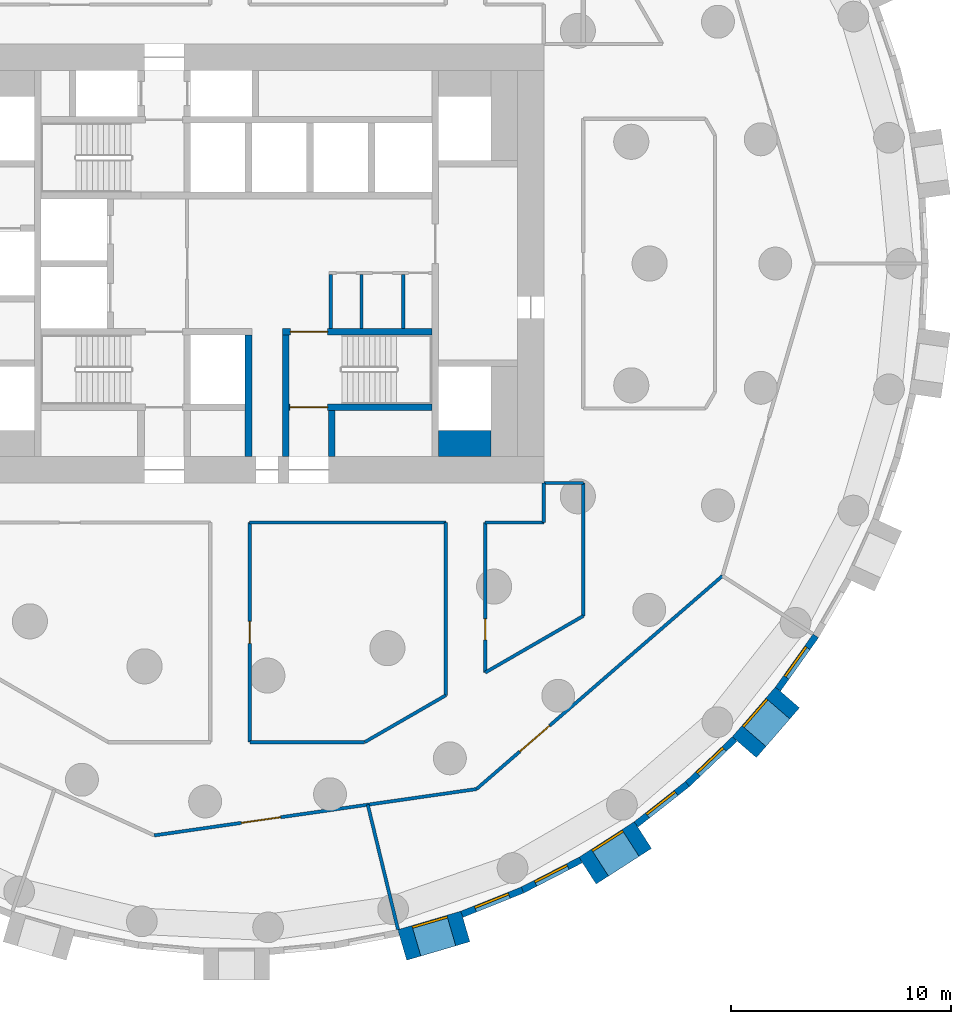
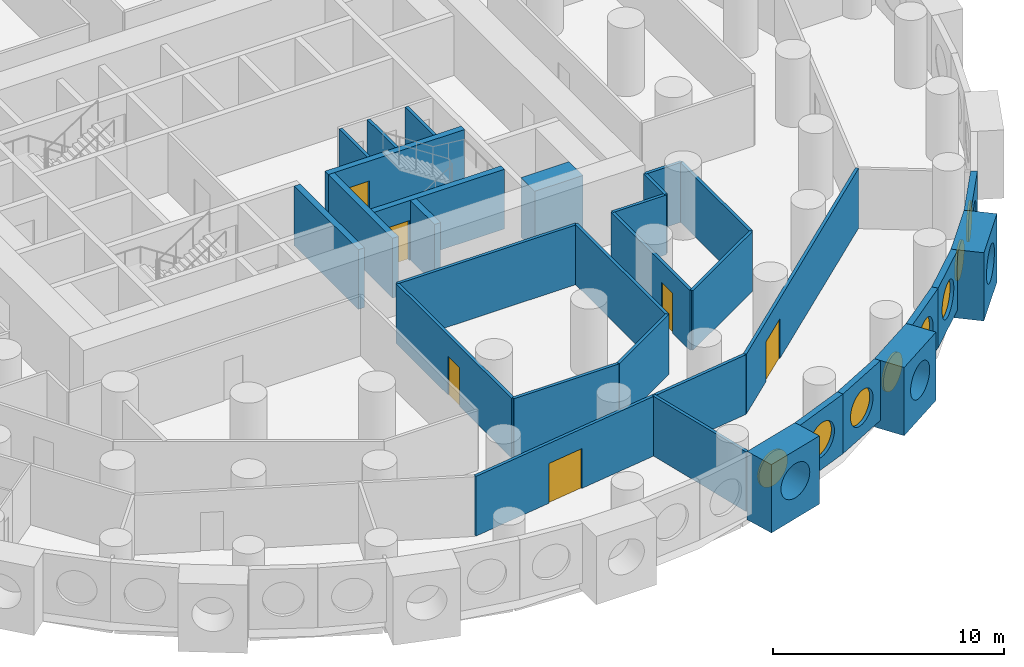
# One storey, part 5 of 12: 31 walls, 8 windows, 6 doors, 14 openings.
"""IFC4 building model written with IfcOpenShell, lengths in metres."""

from ifc_helpers import new_model, si_unit, direction, frame, frame_2d, origin, origin_2d, place, context, subcontext, project, spatial, rectangle, circle, extrude, material, layer, layer_set, type_object, element, fill, save


model = new_model("IFC4")

# Units and contexts
model_context = context("Model", 3, precision=1e-05, world=origin(), true_north=direction((0.0, 1.0)))
body_context = subcontext(model_context, "Body", "Model", "MODEL_VIEW")
ifc_project = project(units=[si_unit("LENGTHUNIT", "METRE"), si_unit("AREAUNIT", "SQUARE_METRE"), si_unit("VOLUMEUNIT", "CUBIC_METRE"), si_unit("PLANEANGLEUNIT", "RADIAN"), si_unit("MASSUNIT", "GRAM", prefix="KILO")], contexts=[model_context])

# Site, building, storey
site_placement = place(None, origin())
site = spatial("IfcSite", under=ifc_project, at=site_placement, CompositionType="ELEMENT")
building_placement = place(site_placement, origin())
building = spatial("IfcBuilding", under=site, at=building_placement, Name="Tracery Tower", CompositionType="ELEMENT")
storey_placement = place(building_placement, frame((0.0, 0.0, 49.800048828125)))
storey = spatial("IfcBuildingStorey", under=building, at=storey_placement, Name="L11", CompositionType="ELEMENT", Elevation=49.800048828125)

# Walls
ifc_material_1 = material(Name="Plasterboard on steel studs", Category="steel")
ifc_layer_1 = layer(ifc_material_1, 0.14990234375)
ifc_layer_set_1 = layer_set([ifc_layer_1], Name="Core room partition 150")
wall_type_1 = type_object("IfcWallType", Name="Core room partition 150", PredefinedType="SOLIDWALL", material=ifc_layer_set_1)
for number, where, z_axis, x_axis, name in (
    (1, (4.300048828125, -2.949951171875, 0.0), (0.0, 0.0, 1.0), (0.0, 1.0, 0.0), "L11 slot W"),
    (2, (5.699951171875, -2.949951171875, 0.0), (0.0, 0.0, 1.0), (0.0, 1.0, 0.0), "L11 slot sep 1"),
    (3, (7.60009765625, -2.949951171875, 0.0), (0.0, 0.0, 1.0), (0.0, 1.0, 0.0), "L11 slot sep 2"),
):
    element("IfcWall", number, at=place(storey_placement, frame(where, z_axis=z_axis, x_axis=x_axis)), inside=storey, type_object=wall_type_1, Name=name, PredefinedType="SOLIDWALL", context=body_context, shape_type="SweptSolid", body=[
        extrude(rectangle(XDim=2.449951171875, YDim=0.14990234375, at=frame_2d((1.22509765625, 0.0))), origin(), (0.0, 0.0, 1.0), 3.14990234375),
    ])
ifc_material_2 = material(Name="Concrete C60/75", Category="concrete")
ifc_layer_2 = layer(ifc_material_2, 1.199951171875)
ifc_layer_set_2 = layer_set([ifc_layer_2], Name="Core strip wall 1200 C60")
wall_type_2 = type_object("IfcWallType", Name="Core strip wall 1200 C60", PredefinedType="SOLIDWALL", material=ifc_layer_set_2)
wall_1_placement = place(storey_placement, frame((9.199951171875, -8.199951171875, 0.0), z_axis=(0.0, 0.0, 1.0), x_axis=(1.0, 0.0, 0.0)))
element("IfcWall", 4, at=wall_1_placement, inside=storey, type_object=wall_type_2, Name="L11 wing corner +1 -8.2", PredefinedType="SOLIDWALL", context=body_context, shape_type="SweptSolid", body=[
    extrude(rectangle(XDim=2.400146484375, YDim=1.199951171875, at=frame_2d((1.2001953125, 0.0))), origin(), (0.0, 0.0, 1.0), 3.14990234375),
])

# Wall, opening, window
ifc_material_3 = material(Name="Precast concrete C50/60", Category="concrete")
ifc_layer_3 = layer(ifc_material_3, 1.449951171875)
ifc_layer_set_3 = layer_set([ifc_layer_3], Name="Deep-set bay unit 3000 x 3600, slab edge 450")
wall_type_3 = type_object("IfcWallType", Name="Deep-set bay unit 3000 x 3600, slab edge 450", PredefinedType="ELEMENTEDWALL", material=ifc_layer_set_3)
wall_2_placement = place(storey_placement, frame((7.552001953125, -31.043701171875, -0.449951171875), z_axis=(0.0, 0.0, 1.0), x_axis=(0.959489813418, 0.281743319258, 0.0)))
wall_2 = element("IfcWall", 5, at=wall_2_placement, inside=storey, type_object=wall_type_3, Name="Deep-set bay unit 53 at L11", PredefinedType="ELEMENTEDWALL", context=body_context, shape_type="SweptSolid", body=[
    extrude(rectangle(XDim=3.0, YDim=1.449951171875, at=frame_2d((1.5, 0.0))), origin(), (0.0, 0.0, 1.0), 3.599853515625),
])
opening_1_placement = place(wall_2_placement, frame((1.5, 0.0, 2.0)))
opening_1 = element("IfcOpeningElement", 6, at=opening_1_placement, cuts=wall_2, Name="Opening WN1", PredefinedType="OPENING", context=body_context, shape_type="SweptSolid", body=[
    extrude(circle(Radius=0.9000244140625, at=origin_2d()), frame((0.0, 0.73486328125, 0.0), z_axis=(0.0, -1.0, 0.0), x_axis=(1.0, 0.0, 0.0)), (0.0, 0.0, 1.0), 1.469970703125),
])
ifc_material_4 = material(Name="Aluminium frame with tinted double glazing", Category="aluminium")
window_type = type_object("IfcWindowType", Name="Round window 1800", PartitioningType="SINGLE_PANEL", PredefinedType="WINDOW", material=ifc_material_4)
window_1_placement = place(opening_1_placement, origin())
window_1 = element("IfcWindow", 7, at=window_1_placement, inside=storey, type_object=window_type, Name="Round window 53 at L11", OverallHeight=1.800048828125, OverallWidth=1.800048828125, PartitioningType="SINGLE_PANEL", PredefinedType="WINDOW", context=body_context, shape_type="SweptSolid", body=[
    extrude(circle(Radius=0.9000244140625, at=origin_2d()), frame((0.0, 0.69482421875, 0.0), z_axis=(0.0, -1.0, 0.0), x_axis=(1.0, 0.0, 0.0)), (0.0, 0.0, 1.0), 0.10009765625),
])
fill(opening_1, window_1)

wall_3_placement = place(storey_placement, frame((15.9921875, -27.65869140625, -0.449951171875), z_axis=(0.0, 0.0, 1.0), x_axis=(0.841223422347, 0.540687667415, 0.0)))
wall_3 = element("IfcWall", 8, at=wall_3_placement, inside=storey, type_object=wall_type_3, Name="Deep-set bay unit 56 at L11", PredefinedType="ELEMENTEDWALL", context=body_context, shape_type="SweptSolid", body=[
    extrude(rectangle(XDim=3.0, YDim=1.449951171875, at=frame_2d((1.5, 0.0))), origin(), (0.0, 0.0, 1.0), 3.599853515625),
])
opening_2_placement = place(wall_3_placement, frame((1.5, 0.0, 2.0)))
opening_2 = element("IfcOpeningElement", 9, at=opening_2_placement, cuts=wall_3, Name="Opening WN1", PredefinedType="OPENING", context=body_context, shape_type="SweptSolid", body=[
    extrude(circle(Radius=0.9000244140625, at=origin_2d()), frame((0.0, 0.73486328125, 0.0), z_axis=(0.0, -1.0, 0.0), x_axis=(1.0, 0.0, 0.0)), (0.0, 0.0, 1.0), 1.469970703125),
])
window_2_placement = place(opening_2_placement, origin())
window_2 = element("IfcWindow", 10, at=window_2_placement, inside=storey, type_object=window_type, Name="Round window 56 at L11", OverallHeight=1.800048828125, OverallWidth=1.800048828125, PartitioningType="SINGLE_PANEL", PredefinedType="WINDOW", context=body_context, shape_type="SweptSolid", body=[
    extrude(circle(Radius=0.9000244140625, at=origin_2d()), frame((0.0, 0.69482421875, 0.0), z_axis=(0.0, -1.0, 0.0), x_axis=(1.0, 0.0, 0.0)), (0.0, 0.0, 1.0), 0.10009765625),
])
fill(opening_2, window_2)

wall_4_placement = place(storey_placement, frame((23.13671875, -22.03271484375, -0.449951171875), z_axis=(0.0, 0.0, 1.0), x_axis=(0.654890259022, 0.75572398972, 0.0)))
wall_4 = element("IfcWall", 11, at=wall_4_placement, inside=storey, type_object=wall_type_3, Name="Deep-set bay unit 59 at L11", PredefinedType="ELEMENTEDWALL", context=body_context, shape_type="SweptSolid", body=[
    extrude(rectangle(XDim=3.0, YDim=1.449951171875, at=frame_2d((1.5, 0.0))), origin(), (0.0, 0.0, 1.0), 3.599853515625),
])
opening_3_placement = place(wall_4_placement, frame((1.5, 0.0, 2.0)))
opening_3 = element("IfcOpeningElement", 12, at=opening_3_placement, cuts=wall_4, Name="Opening WN1", PredefinedType="OPENING", context=body_context, shape_type="SweptSolid", body=[
    extrude(circle(Radius=0.9000244140625, at=origin_2d()), frame((0.0, 0.73486328125, 0.0), z_axis=(0.0, -1.0, 0.0), x_axis=(1.0, 0.0, 0.0)), (0.0, 0.0, 1.0), 1.469970703125),
])
window_3_placement = place(opening_3_placement, origin())
window_3 = element("IfcWindow", 13, at=window_3_placement, inside=storey, type_object=window_type, Name="Round window 59 at L11", OverallHeight=1.800048828125, OverallWidth=1.800048828125, PartitioningType="SINGLE_PANEL", PredefinedType="WINDOW", context=body_context, shape_type="SweptSolid", body=[
    extrude(circle(Radius=0.9000244140625, at=origin_2d()), frame((0.0, 0.69482421875, 0.0), z_axis=(0.0, -1.0, 0.0), x_axis=(1.0, 0.0, 0.0)), (0.0, 0.0, 1.0), 0.10009765625),
])
fill(opening_3, window_3)

ifc_material_5 = material(Name="Precast concrete C50/60", Category="concrete")
ifc_layer_4 = layer(ifc_material_5, 0.300048828125)
ifc_layer_set_4 = layer_set([ifc_layer_4], Name="Facade panel 3000 x 3150")
wall_type_4 = type_object("IfcWallType", Name="Facade panel 3000 x 3150", PredefinedType="SOLIDWALL", material=ifc_layer_set_4)
wall_5_placement = place(storey_placement, frame((10.26708984375, -29.646484375, 0.0), z_axis=(0.0, 0.0, 1.0), x_axis=(0.928403213937, 0.371574316054, 0.0)))
wall_5 = element("IfcWall", 14, at=wall_5_placement, inside=storey, type_object=wall_type_4, Name="Facade panel 54 at L11", PredefinedType="SOLIDWALL", context=body_context, shape_type="SweptSolid", body=[
    extrude(rectangle(XDim=2.979736328125, YDim=0.300048828125, at=frame_2d((1.48974609375, 0.0))), origin(), (0.0, 0.0, 1.0), 3.14990234375),
])
opening_4_placement = place(wall_5_placement, frame((1.48974609375, 0.0, 1.5498046875)))
opening_4 = element("IfcOpeningElement", 15, at=opening_4_placement, cuts=wall_5, Name="Opening WN1", PredefinedType="OPENING", context=body_context, shape_type="SweptSolid", body=[
    extrude(circle(Radius=0.9000244140625, at=origin_2d()), frame((0.0, 0.159912109375, 0.0), z_axis=(0.0, -1.0, 0.0), x_axis=(1.0, 0.0, 0.0)), (0.0, 0.0, 1.0), 0.320068359375),
])
window_4_placement = place(opening_4_placement, origin())
window_4 = element("IfcWindow", 16, at=window_4_placement, inside=storey, type_object=window_type, Name="Round window 54 at L11", OverallHeight=1.800048828125, OverallWidth=1.800048828125, PartitioningType="SINGLE_PANEL", PredefinedType="WINDOW", context=body_context, shape_type="SweptSolid", body=[
    extrude(circle(Radius=0.9000244140625, at=origin_2d()), frame((0.0, 0.1201171875, 0.0), z_axis=(0.0, -1.0, 0.0), x_axis=(1.0, 0.0, 0.0)), (0.0, 0.0, 1.0), 0.10009765625),
])
fill(opening_4, window_4)

wall_6_placement = place(storey_placement, frame((13.033447265625, -28.539306640625, 0.0), z_axis=(0.0, 0.0, 1.0), x_axis=(0.888819853856, 0.458256770153, 0.0)))
wall_6 = element("IfcWall", 17, at=wall_6_placement, inside=storey, type_object=wall_type_4, Name="Facade panel 55 at L11", PredefinedType="SOLIDWALL", context=body_context, shape_type="SweptSolid", body=[
    extrude(rectangle(XDim=2.979736328125, YDim=0.300048828125, at=frame_2d((1.48974609375, 0.0))), origin(), (0.0, 0.0, 1.0), 3.14990234375),
])
opening_5_placement = place(wall_6_placement, frame((1.48974609375, 0.0, 1.5498046875)))
opening_5 = element("IfcOpeningElement", 18, at=opening_5_placement, cuts=wall_6, Name="Opening WN1", PredefinedType="OPENING", context=body_context, shape_type="SweptSolid", body=[
    extrude(circle(Radius=0.9000244140625, at=origin_2d()), frame((0.0, 0.159912109375, 0.0), z_axis=(0.0, -1.0, 0.0), x_axis=(1.0, 0.0, 0.0)), (0.0, 0.0, 1.0), 0.320068359375),
])
window_5_placement = place(opening_5_placement, origin())
window_5 = element("IfcWindow", 19, at=window_5_placement, inside=storey, type_object=window_type, Name="Round window 55 at L11", OverallHeight=1.800048828125, OverallWidth=1.800048828125, PartitioningType="SINGLE_PANEL", PredefinedType="WINDOW", context=body_context, shape_type="SweptSolid", body=[
    extrude(circle(Radius=0.9000244140625, at=origin_2d()), frame((0.0, 0.1201171875, 0.0), z_axis=(0.0, -1.0, 0.0), x_axis=(1.0, 0.0, 0.0)), (0.0, 0.0, 1.0), 0.10009765625),
])
fill(opening_5, window_5)

wall_7_placement = place(storey_placement, frame((18.20361328125, -25.55322265625, 0.0), z_axis=(0.0, 0.0, 1.0), x_axis=(0.786045331304, 0.618168858108, 0.0)))
wall_7 = element("IfcWall", 20, at=wall_7_placement, inside=storey, type_object=wall_type_4, Name="Facade panel 57 at L11", PredefinedType="SOLIDWALL", context=body_context, shape_type="SweptSolid", body=[
    extrude(rectangle(XDim=2.979736328125, YDim=0.300048828125, at=frame_2d((1.48974609375, 0.0))), origin(), (0.0, 0.0, 1.0), 3.14990234375),
])
opening_6_placement = place(wall_7_placement, frame((1.48974609375, 0.0, 1.5498046875)))
opening_6 = element("IfcOpeningElement", 21, at=opening_6_placement, cuts=wall_7, Name="Opening WN1", PredefinedType="OPENING", context=body_context, shape_type="SweptSolid", body=[
    extrude(circle(Radius=0.9000244140625, at=origin_2d()), frame((0.0, 0.159912109375, 0.0), z_axis=(0.0, -1.0, 0.0), x_axis=(1.0, 0.0, 0.0)), (0.0, 0.0, 1.0), 0.320068359375),
])
window_6_placement = place(opening_6_placement, origin())
window_6 = element("IfcWindow", 22, at=window_6_placement, inside=storey, type_object=window_type, Name="Round window 57 at L11", OverallHeight=1.800048828125, OverallWidth=1.800048828125, PartitioningType="SINGLE_PANEL", PredefinedType="WINDOW", context=body_context, shape_type="SweptSolid", body=[
    extrude(circle(Radius=0.9000244140625, at=origin_2d()), frame((0.0, 0.1201171875, 0.0), z_axis=(0.0, -1.0, 0.0), x_axis=(1.0, 0.0, 0.0)), (0.0, 0.0, 1.0), 0.10009765625),
])
fill(opening_6, window_6)

wall_8_placement = place(storey_placement, frame((20.5458984375, -23.711181640625, 0.0), z_axis=(0.0, 0.0, 1.0), x_axis=(0.723744206617, 0.690068346896, 0.0)))
wall_8 = element("IfcWall", 23, at=wall_8_placement, inside=storey, type_object=wall_type_4, Name="Facade panel 58 at L11", PredefinedType="SOLIDWALL", context=body_context, shape_type="SweptSolid", body=[
    extrude(rectangle(XDim=2.979736328125, YDim=0.300048828125, at=frame_2d((1.48974609375, 0.0))), origin(), (0.0, 0.0, 1.0), 3.14990234375),
])
opening_7_placement = place(wall_8_placement, frame((1.48974609375, 0.0, 1.5498046875)))
opening_7 = element("IfcOpeningElement", 24, at=opening_7_placement, cuts=wall_8, Name="Opening WN1", PredefinedType="OPENING", context=body_context, shape_type="SweptSolid", body=[
    extrude(circle(Radius=0.9000244140625, at=origin_2d()), frame((0.0, 0.159912109375, 0.0), z_axis=(0.0, -1.0, 0.0), x_axis=(1.0, 0.0, 0.0)), (0.0, 0.0, 1.0), 0.320068359375),
])
window_7_placement = place(opening_7_placement, origin())
window_7 = element("IfcWindow", 25, at=window_7_placement, inside=storey, type_object=window_type, Name="Round window 58 at L11", OverallHeight=1.800048828125, OverallWidth=1.800048828125, PartitioningType="SINGLE_PANEL", PredefinedType="WINDOW", context=body_context, shape_type="SweptSolid", body=[
    extrude(circle(Radius=0.9000244140625, at=origin_2d()), frame((0.0, 0.1201171875, 0.0), z_axis=(0.0, -1.0, 0.0), x_axis=(1.0, 0.0, 0.0)), (0.0, 0.0, 1.0), 0.10009765625),
])
fill(opening_7, window_7)

wall_9_placement = place(storey_placement, frame((24.66552734375, -19.389404296875, 0.0), z_axis=(0.0, 0.0, 1.0), x_axis=(0.580059407678, 0.81457417315, 0.0)))
wall_9 = element("IfcWall", 26, at=wall_9_placement, inside=storey, type_object=wall_type_4, Name="Facade panel 60 at L11", PredefinedType="SOLIDWALL", context=body_context, shape_type="SweptSolid", body=[
    extrude(rectangle(XDim=2.9794921875, YDim=0.300048828125, at=frame_2d((1.48974609375, 0.0))), origin(), (0.0, 0.0, 1.0), 3.14990234375),
])
opening_8_placement = place(wall_9_placement, frame((1.48974609375, 0.0, 1.5498046875)))
opening_8 = element("IfcOpeningElement", 27, at=opening_8_placement, cuts=wall_9, Name="Opening WN1", PredefinedType="OPENING", context=body_context, shape_type="SweptSolid", body=[
    extrude(circle(Radius=0.9000244140625, at=origin_2d()), frame((0.0, 0.159912109375, 0.0), z_axis=(0.0, -1.0, 0.0), x_axis=(1.0, 0.0, 0.0)), (0.0, 0.0, 1.0), 0.320068359375),
])
window_8_placement = place(opening_8_placement, origin())
window_8 = element("IfcWindow", 28, at=window_8_placement, inside=storey, type_object=window_type, Name="Round window 60 at L11", OverallHeight=1.800048828125, OverallWidth=1.800048828125, PartitioningType="SINGLE_PANEL", PredefinedType="WINDOW", context=body_context, shape_type="SweptSolid", body=[
    extrude(circle(Radius=0.9000244140625, at=origin_2d()), frame((0.0, 0.1201171875, 0.0), z_axis=(0.0, -1.0, 0.0), x_axis=(1.0, 0.0, 0.0)), (0.0, 0.0, 1.0), 0.10009765625),
])
fill(opening_8, window_8)

# Walls
ifc_material_6 = material(Name="Plasterboard on steel studs", Category="steel")
ifc_layer_5 = layer(ifc_material_6, 0.14990234375)
ifc_layer_set_5 = layer_set([ifc_layer_5], Name="Partition 150 acoustic unit wall")
wall_type_5 = type_object("IfcWallType", Name="Partition 150 acoustic unit wall", PredefinedType="PARTITIONING", material=ifc_layer_set_5)
wall_10_placement = place(storey_placement, frame((5.98095703125, -24.652099609375, 0.0), z_axis=(0.0, 0.0, 1.0), x_axis=(0.235644168604, -0.971839403298, 0.0)))
element("IfcWall", 29, at=wall_10_placement, inside=storey, type_object=wall_type_5, Name="Unit wall RA3-101", PredefinedType="PARTITIONING", context=body_context, shape_type="SweptSolid", body=[
    extrude(rectangle(XDim=5.85693359375, YDim=0.14990234375, at=frame_2d((2.928466796875, 0.0))), origin(), (0.0, 0.0, 1.0), 3.14990234375),
])
ifc_material_7 = material(Name="Plasterboard on steel studs", Category="steel")
ifc_layer_6 = layer(ifc_material_7, 0.14990234375)
ifc_layer_set_6 = layer_set([ifc_layer_6], Name="Partition 150 corridor wall")
wall_type_6 = type_object("IfcWallType", Name="Partition 150 corridor wall", PredefinedType="PARTITIONING", material=ifc_layer_set_6)
wall_11_placement = place(storey_placement, frame((0.60400390625, -11.800048828125, 0.0), z_axis=(0.0, 0.0, 1.0), x_axis=(1.0, 0.0, 0.0)))
element("IfcWall", 30, at=wall_11_placement, inside=storey, type_object=wall_type_6, Name="Corridor wall RA3-006", PredefinedType="PARTITIONING", context=body_context, shape_type="SweptSolid", body=[
    extrude(rectangle(XDim=8.93603515625, YDim=0.14990234375, at=frame_2d((4.468017578125, 0.0))), origin(), (0.0, 0.0, 1.0), 3.14990234375),
])
wall_12_placement = place(storey_placement, frame((14.0, -11.800048828125, 0.0), z_axis=(0.0, 0.0, 1.0), x_axis=(0.0, 1.0, 0.0)))
element("IfcWall", 31, at=wall_12_placement, inside=storey, type_object=wall_type_6, Name="Corridor wall RA3-007", PredefinedType="PARTITIONING", context=body_context, shape_type="SweptSolid", body=[
    extrude(rectangle(XDim=1.800048828125, YDim=0.14990234375, at=frame_2d((0.89990234375, 0.0))), origin(), (0.0, 0.0, 1.0), 3.14990234375),
])
wall_13_placement = place(storey_placement, frame((11.33203125, -11.800048828125, 0.0), z_axis=(0.0, 0.0, 1.0), x_axis=(1.0, 0.0, 0.0)))
element("IfcWall", 32, at=wall_13_placement, inside=storey, type_object=wall_type_6, Name="Corridor wall RA3-008", PredefinedType="PARTITIONING", context=body_context, shape_type="SweptSolid", body=[
    extrude(rectangle(XDim=2.66796875, YDim=0.14990234375, at=frame_2d((1.333984375, 0.0))), origin(), (0.0, 0.0, 1.0), 3.14990234375),
])
wall_14_placement = place(storey_placement, frame((14.0, -10.0, 0.0), z_axis=(0.0, 0.0, 1.0), x_axis=(1.0, 0.0, 0.0)))
element("IfcWall", 33, at=wall_14_placement, inside=storey, type_object=wall_type_6, Name="Corridor wall RA3-011", PredefinedType="PARTITIONING", context=body_context, shape_type="SweptSolid", body=[
    extrude(rectangle(XDim=1.800048828125, YDim=0.14990234375, at=frame_2d((0.89990234375, 0.0))), origin(), (0.0, 0.0, 1.0), 3.14990234375),
])
wall_15_placement = place(storey_placement, frame((15.800048828125, -16.052978515625, 0.0), z_axis=(0.0, 0.0, 1.0), x_axis=(0.0, 1.0, 0.0)))
element("IfcWall", 34, at=wall_15_placement, inside=storey, type_object=wall_type_6, Name="Corridor wall RA3-014", PredefinedType="PARTITIONING", context=body_context, shape_type="SweptSolid", body=[
    extrude(rectangle(XDim=6.056884765625, YDim=0.14990234375, at=frame_2d((3.0283203125, 0.0))), origin(), (0.0, 0.0, 1.0), 3.14990234375),
])

# Wall, opening, door
wall_16_placement = place(storey_placement, frame((10.93310546875, -23.940185546875, 0.0), z_axis=(0.0, 0.0, 1.0), x_axis=(0.755770011705, 0.654837147242, 0.0)))
wall_16 = element("IfcWall", 35, at=wall_16_placement, inside=storey, type_object=wall_type_6, Name="Corridor wall RA3-023", PredefinedType="PARTITIONING", context=body_context, shape_type="SweptSolid", body=[
    extrude(rectangle(XDim=14.829833984375, YDim=0.14990234375, at=frame_2d((7.4150390625, 0.0))), origin(), (0.0, 0.0, 1.0), 3.14990234375),
])
opening_9_placement = place(wall_16_placement, frame((2.61083984375, 0.0, 0.0)))
opening_9 = element("IfcOpeningElement", 36, at=opening_9_placement, cuts=wall_16, Name="Opening RA3-40", PredefinedType="OPENING", context=body_context, shape_type="SweptSolid", body=[
    extrude(rectangle(XDim=1.800048828125, YDim=2.10009765625, at=frame_2d((0.89990234375, 1.050048828125))), frame((0.0, 0.074951171875, 0.0), z_axis=(0.0, -1.0, 0.0), x_axis=(1.0, 0.0, 0.0)), (0.0, 0.0, 1.0), 0.14990234375),
])
ifc_material_8 = material(Name="Timber door leaf", Category="wood")
door_type_1 = type_object("IfcDoorType", Name="Door double lounge 1800", OperationType="NOTDEFINED", PredefinedType="DOOR", material=ifc_material_8)
door_1_placement = place(opening_9_placement, origin())
door_1 = element("IfcDoor", 37, at=door_1_placement, inside=storey, type_object=door_type_1, Name="Double lounge door RA3-40", OperationType="DOUBLE_DOOR_SINGLE_SWING", OverallHeight=2.10009765625, OverallWidth=1.800048828125, PredefinedType="DOOR", context=body_context, shape_type="SweptSolid", body=[
    extrude(rectangle(XDim=1.800048828125, YDim=2.10009765625, at=frame_2d((0.89990234375, 1.050048828125))), frame((0.0, 0.02490234375, 0.0), z_axis=(0.0, -1.0, 0.0), x_axis=(1.0, 0.0, 0.0)), (0.0, 0.0, 1.0), 0.050048828125),
])
fill(opening_9, door_1)

wall_17_placement = place(storey_placement, frame((0.60791015625, -21.802001953125, 0.0), z_axis=(0.0, 0.0, 1.0), x_axis=(0.0, 1.0, 0.0)))
wall_17 = element("IfcWall", 38, at=wall_17_placement, inside=storey, type_object=wall_type_6, Name="Corridor wall RA3-050", PredefinedType="PARTITIONING", context=body_context, shape_type="SweptSolid", body=[
    extrude(rectangle(XDim=10.001953125, YDim=0.14990234375, at=frame_2d((5.0009765625, 0.0))), origin(), (0.0, 0.0, 1.0), 3.14990234375),
])
opening_10_placement = place(wall_17_placement, frame((4.5009765625, 0.0, 0.0)))
opening_10 = element("IfcOpeningElement", 39, at=opening_10_placement, cuts=wall_17, Name="Opening RA3-05", PredefinedType="OPENING", context=body_context, shape_type="SweptSolid", body=[
    extrude(rectangle(XDim=1.0, YDim=2.0400390625, at=frame_2d((0.5, 1.02001953125))), frame((0.0, 0.074951171875, 0.0), z_axis=(0.0, -1.0, 0.0), x_axis=(1.0, 0.0, 0.0)), (0.0, 0.0, 1.0), 0.14990234375),
])
ifc_material_9 = material(Name="Timber door leaf", Category="wood")
door_type_2 = type_object("IfcDoorType", Name="Door communal room 1000", OperationType="NOTDEFINED", PredefinedType="DOOR", material=ifc_material_9)
door_2_placement = place(opening_10_placement, origin())
door_2 = element("IfcDoor", 40, at=door_2_placement, inside=storey, type_object=door_type_2, Name="Communal room door RA3-05", OperationType="SINGLE_SWING_RIGHT", OverallHeight=2.0400390625, OverallWidth=1.0, PredefinedType="DOOR", context=body_context, shape_type="SweptSolid", body=[
    extrude(rectangle(XDim=1.0, YDim=2.0400390625, at=frame_2d((0.5, 1.02001953125))), frame((0.0, 0.02490234375, 0.0), z_axis=(0.0, -1.0, 0.0), x_axis=(1.0, 0.0, 0.0)), (0.0, 0.0, 1.0), 0.050048828125),
])
fill(opening_10, door_2)

# Walls
wall_18_placement = place(storey_placement, frame((0.60791015625, -21.802001953125, 0.0), z_axis=(0.0, 0.0, 1.0), x_axis=(1.0, 0.0, 0.0)))
element("IfcWall", 41, at=wall_18_placement, inside=storey, type_object=wall_type_6, Name="Corridor wall RA3-051", PredefinedType="PARTITIONING", context=body_context, shape_type="SweptSolid", body=[
    extrude(rectangle(XDim=5.234130859375, YDim=0.14990234375, at=frame_2d((2.6171875, 0.0))), origin(), (0.0, 0.0, 1.0), 3.14990234375),
])
wall_19_placement = place(storey_placement, frame((5.842041015625, -21.802001953125, 0.0), z_axis=(0.0, 0.0, 1.0), x_axis=(0.865983505205, 0.500072563448, 0.0)))
element("IfcWall", 42, at=wall_19_placement, inside=storey, type_object=wall_type_6, Name="Corridor wall RA3-052", PredefinedType="PARTITIONING", context=body_context, shape_type="SweptSolid", body=[
    extrude(rectangle(XDim=4.265380859375, YDim=0.14990234375, at=frame_2d((2.1328125, 0.0))), origin(), (0.0, 0.0, 1.0), 3.14990234375),
])
wall_20_placement = place(storey_placement, frame((9.535888671875, -19.6689453125, 0.0), z_axis=(0.0, 0.0, 1.0), x_axis=(0.0, 1.0, 0.0)))
element("IfcWall", 43, at=wall_20_placement, inside=storey, type_object=wall_type_6, Name="Corridor wall RA3-053", PredefinedType="PARTITIONING", context=body_context, shape_type="SweptSolid", body=[
    extrude(rectangle(XDim=7.868896484375, YDim=0.14990234375, at=frame_2d((3.9345703125, 0.0))), origin(), (0.0, 0.0, 1.0), 3.14990234375),
])

# Wall, opening, door
wall_21_placement = place(storey_placement, frame((11.3359375, -18.6298828125, 0.0), z_axis=(0.0, 0.0, 1.0), x_axis=(0.0, 1.0, 0.0)))
wall_21 = element("IfcWall", 44, at=wall_21_placement, inside=storey, type_object=wall_type_6, Name="Corridor wall RA3-054", PredefinedType="PARTITIONING", context=body_context, shape_type="SweptSolid", body=[
    extrude(rectangle(XDim=6.829833984375, YDim=0.14990234375, at=frame_2d((3.4150390625, 0.0))), origin(), (0.0, 0.0, 1.0), 3.14990234375),
])
opening_11_placement = place(wall_21_placement, frame((1.489990234375, 0.0, 0.0)))
opening_11 = element("IfcOpeningElement", 45, at=opening_11_placement, cuts=wall_21, Name="Opening RA3-06", PredefinedType="OPENING", context=body_context, shape_type="SweptSolid", body=[
    extrude(rectangle(XDim=0.949951171875, YDim=2.10009765625, at=frame_2d((0.47509765625, 1.050048828125))), frame((0.0, 0.074951171875, 0.0), z_axis=(0.0, -1.0, 0.0), x_axis=(1.0, 0.0, 0.0)), (0.0, 0.0, 1.0), 0.14990234375),
])
ifc_material_10 = material(Name="Timber door leaf", Category="wood")
door_type_3 = type_object("IfcDoorType", Name="Door store 950", OperationType="NOTDEFINED", PredefinedType="DOOR", material=ifc_material_10)
door_3_placement = place(opening_11_placement, origin())
door_3 = element("IfcDoor", 46, at=door_3_placement, inside=storey, type_object=door_type_3, Name="Store door RA3-06", OperationType="SINGLE_SWING_RIGHT", OverallHeight=2.10009765625, OverallWidth=0.949951171875, PredefinedType="DOOR", context=body_context, shape_type="SweptSolid", body=[
    extrude(rectangle(XDim=0.949951171875, YDim=2.10009765625, at=frame_2d((0.47509765625, 1.050048828125))), frame((0.0, 0.02490234375, 0.0), z_axis=(0.0, -1.0, 0.0), x_axis=(1.0, 0.0, 0.0)), (0.0, 0.0, 1.0), 0.050048828125),
])
fill(opening_11, door_3)

# Wall
wall_22_placement = place(storey_placement, frame((11.3359375, -18.6298828125, 0.0), z_axis=(0.0, 0.0, 1.0), x_axis=(0.866063337164, 0.499934291702, 0.0)))
element("IfcWall", 47, at=wall_22_placement, inside=storey, type_object=wall_type_6, Name="Corridor wall RA3-055", PredefinedType="PARTITIONING", context=body_context, shape_type="SweptSolid", body=[
    extrude(rectangle(XDim=5.154541015625, YDim=0.14990234375, at=frame_2d((2.5771484375, 0.0))), origin(), (0.0, 0.0, 1.0), 3.14990234375),
])

# Wall, opening, door
wall_23_placement = place(storey_placement, frame((-3.74609375, -26.051025390625, 0.0), z_axis=(0.0, 0.0, 1.0), x_axis=(0.989823328782, 0.142301713967, 0.0)))
wall_23 = element("IfcWall", 48, at=wall_23_placement, inside=storey, type_object=wall_type_6, Name="Corridor wall RA3-057", PredefinedType="PARTITIONING", context=body_context, shape_type="SweptSolid", body=[
    extrude(rectangle(XDim=14.830078125, YDim=0.14990234375, at=frame_2d((7.4150390625, 0.0))), origin(), (0.0, 0.0, 1.0), 3.14990234375),
])
opening_12_placement = place(wall_23_placement, frame((4.01513671875, 0.0, 0.0)))
opening_12 = element("IfcOpeningElement", 49, at=opening_12_placement, cuts=wall_23, Name="Opening RA3-39", PredefinedType="OPENING", context=body_context, shape_type="SweptSolid", body=[
    extrude(rectangle(XDim=1.800048828125, YDim=2.10009765625, at=frame_2d((0.89990234375, 1.050048828125))), frame((0.0, 0.074951171875, 0.0), z_axis=(0.0, -1.0, 0.0), x_axis=(1.0, 0.0, 0.0)), (0.0, 0.0, 1.0), 0.14990234375),
])
door_4_placement = place(opening_12_placement, origin())
door_4 = element("IfcDoor", 50, at=door_4_placement, inside=storey, type_object=door_type_1, Name="Double lounge door RA3-39", OperationType="DOUBLE_DOOR_SINGLE_SWING", OverallHeight=2.10009765625, OverallWidth=1.800048828125, PredefinedType="DOOR", context=body_context, shape_type="SweptSolid", body=[
    extrude(rectangle(XDim=1.800048828125, YDim=2.10009765625, at=frame_2d((0.89990234375, 1.050048828125))), frame((0.0, 0.02490234375, 0.0), z_axis=(0.0, -1.0, 0.0), x_axis=(1.0, 0.0, 0.0)), (0.0, 0.0, 1.0), 0.050048828125),
])
fill(opening_12, door_4)

# Walls
ifc_material_11 = material(Name="Concrete C60/75", Category="concrete")
ifc_layer_7 = layer(ifc_material_11, 0.300048828125)
ifc_layer_set_7 = layer_set([ifc_layer_7], Name="Shaft wall 300 C60")
wall_type_7 = type_object("IfcWallType", Name="Shaft wall 300 C60", PredefinedType="SOLIDWALL", material=ifc_layer_set_7)
wall_24_placement = place(storey_placement, frame((0.550048828125, -8.800048828125, 0.0), z_axis=(0.0, 0.0, 1.0), x_axis=(0.0, 1.0, 0.0)))
element("IfcWall", 51, at=wall_24_placement, inside=storey, type_object=wall_type_7, Name="L11 OB2 E", PredefinedType="SOLIDWALL", context=body_context, shape_type="SweptSolid", body=[
    extrude(rectangle(XDim=5.550048828125, YDim=0.300048828125, at=frame_2d((2.77490234375, 0.0))), origin(), (0.0, 0.0, 1.0), 3.14990234375),
])
wall_25_placement = place(storey_placement, frame((4.35009765625, -8.800048828125, 0.0), z_axis=(0.0, 0.0, 1.0), x_axis=(0.0, 1.0, 0.0)))
element("IfcWall", 52, at=wall_25_placement, inside=storey, type_object=wall_type_7, Name="L11 band S +4.35", PredefinedType="SOLIDWALL", context=body_context, shape_type="SweptSolid", body=[
    extrude(rectangle(XDim=2.10009765625, YDim=0.300048828125, at=frame_2d((1.050048828125, 0.0))), origin(), (0.0, 0.0, 1.0), 3.14990234375),
])

# Wall, opening, door
ifc_material_12 = material(Name="Concrete C60/75", Category="concrete")
ifc_layer_8 = layer(ifc_material_12, 0.300048828125)
ifc_layer_set_8 = layer_set([ifc_layer_8], Name="Stair wall 300 C60")
wall_type_8 = type_object("IfcWallType", Name="Stair wall 300 C60", PredefinedType="SOLIDWALL", material=ifc_layer_set_8)
wall_26_placement = place(storey_placement, frame((2.10009765625, -3.10009765625, 0.0), z_axis=(0.0, 0.0, 1.0), x_axis=(1.0, 0.0, 0.0)))
wall_26 = element("IfcWall", 53, at=wall_26_placement, inside=storey, type_object=wall_type_8, Name="L11 row S E", PredefinedType="SOLIDWALL", context=body_context, shape_type="SweptSolid", body=[
    extrude(rectangle(XDim=6.7998046875, YDim=0.300048828125, at=frame_2d((3.39990234375, 0.0))), origin(), (0.0, 0.0, 1.0), 3.14990234375),
])
opening_13_placement = place(wall_26_placement, frame((0.35009765625, 0.0, 0.0)))
opening_13 = element("IfcOpeningElement", 54, at=opening_13_placement, cuts=wall_26, Name="Opening KD3", PredefinedType="OPENING", context=body_context, shape_type="SweptSolid", body=[
    extrude(rectangle(XDim=1.699951171875, YDim=2.10009765625, at=frame_2d((0.85009765625, 1.050048828125))), frame((0.0, 0.14990234375, 0.0), z_axis=(0.0, -1.0, 0.0), x_axis=(1.0, 0.0, 0.0)), (0.0, 0.0, 1.0), 0.300048828125),
])
ifc_material_13 = material(Name="Steel fire door", Category="steel")
door_type_4 = type_object("IfcDoorType", Name="Core stair door 1700 double", OperationType="NOTDEFINED", PredefinedType="DOOR", material=ifc_material_13)
door_5_placement = place(opening_13_placement, origin())
door_5 = element("IfcDoor", 55, at=door_5_placement, inside=storey, type_object=door_type_4, Name="Stair door ST2", OperationType="DOUBLE_DOOR_SINGLE_SWING", OverallHeight=2.10009765625, OverallWidth=1.699951171875, PredefinedType="DOOR", context=body_context, shape_type="SweptSolid", body=[
    extrude(rectangle(XDim=1.699951171875, YDim=2.10009765625, at=frame_2d((0.85009765625, 1.050048828125))), frame((0.0, 0.02490234375, 0.0), z_axis=(0.0, -1.0, 0.0), x_axis=(1.0, 0.0, 0.0)), (0.0, 0.0, 1.0), 0.050048828125),
])
fill(opening_13, door_5)

# Wall
wall_27_placement = place(storey_placement, frame((2.25, -8.800048828125, 0.0), z_axis=(0.0, 0.0, 1.0), x_axis=(0.0, 1.0, 0.0)))
element("IfcWall", 56, at=wall_27_placement, inside=storey, type_object=wall_type_8, Name="L11 ST2 W", PredefinedType="SOLIDWALL", context=body_context, shape_type="SweptSolid", body=[
    extrude(rectangle(XDim=5.550048828125, YDim=0.300048828125, at=frame_2d((2.77490234375, 0.0))), origin(), (0.0, 0.0, 1.0), 3.14990234375),
])

# Wall, opening, door
wall_28_placement = place(storey_placement, frame((2.39990234375, -6.550048828125, 0.0), z_axis=(0.0, 0.0, 1.0), x_axis=(1.0, 0.0, 0.0)))
wall_28 = element("IfcWall", 57, at=wall_28_placement, inside=storey, type_object=wall_type_8, Name="L11 F S E", PredefinedType="SOLIDWALL", context=body_context, shape_type="SweptSolid", body=[
    extrude(rectangle(XDim=6.5, YDim=0.300048828125, at=frame_2d((3.25, 0.0))), origin(), (0.0, 0.0, 1.0), 3.14990234375),
])
opening_14_placement = place(wall_28_placement, frame((0.050048828125, 0.0, 0.0)))
opening_14 = element("IfcOpeningElement", 58, at=opening_14_placement, cuts=wall_28, Name="Opening KD3", PredefinedType="OPENING", context=body_context, shape_type="SweptSolid", body=[
    extrude(rectangle(XDim=1.699951171875, YDim=2.10009765625, at=frame_2d((0.85009765625, 1.050048828125))), frame((0.0, 0.14990234375, 0.0), z_axis=(0.0, -1.0, 0.0), x_axis=(1.0, 0.0, 0.0)), (0.0, 0.0, 1.0), 0.300048828125),
])
door_6_placement = place(opening_14_placement, origin())
door_6 = element("IfcDoor", 59, at=door_6_placement, inside=storey, type_object=door_type_4, Name="Stair door ST2 S", OperationType="DOUBLE_DOOR_SINGLE_SWING", OverallHeight=2.10009765625, OverallWidth=1.699951171875, PredefinedType="DOOR", context=body_context, shape_type="SweptSolid", body=[
    extrude(rectangle(XDim=1.699951171875, YDim=2.10009765625, at=frame_2d((0.85009765625, 1.050048828125))), frame((0.0, 0.02490234375, 0.0), z_axis=(0.0, -1.0, 0.0), x_axis=(1.0, 0.0, 0.0)), (0.0, 0.0, 1.0), 0.050048828125),
])
fill(opening_14, door_6)

save(model, "model.ifc")
